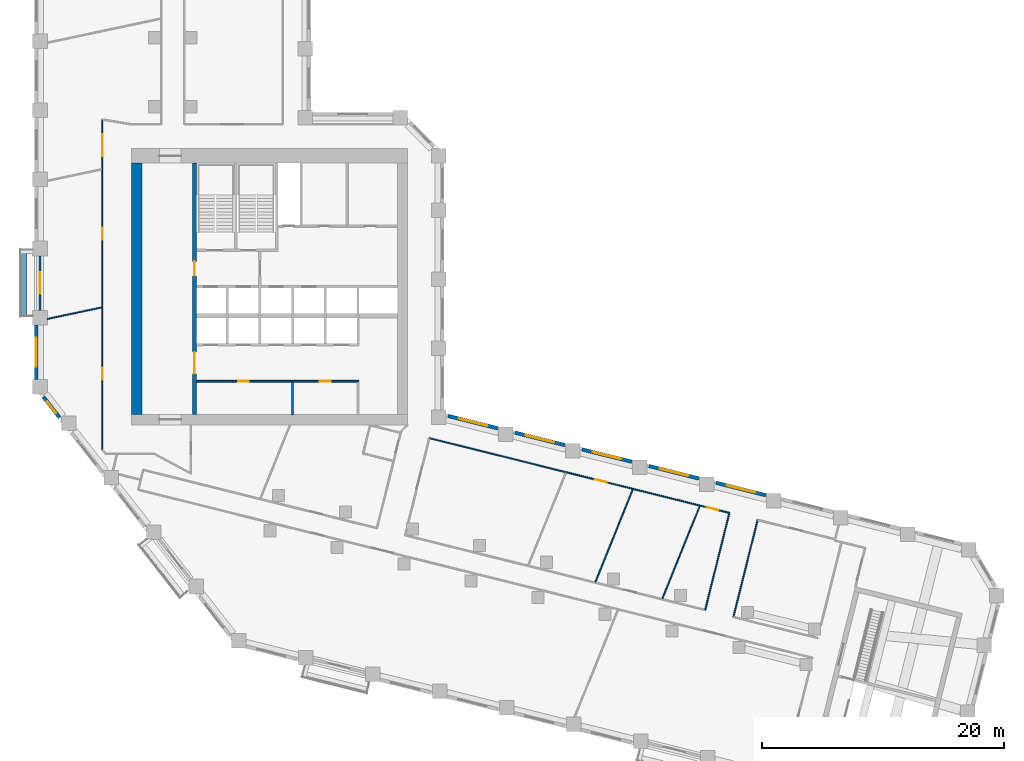
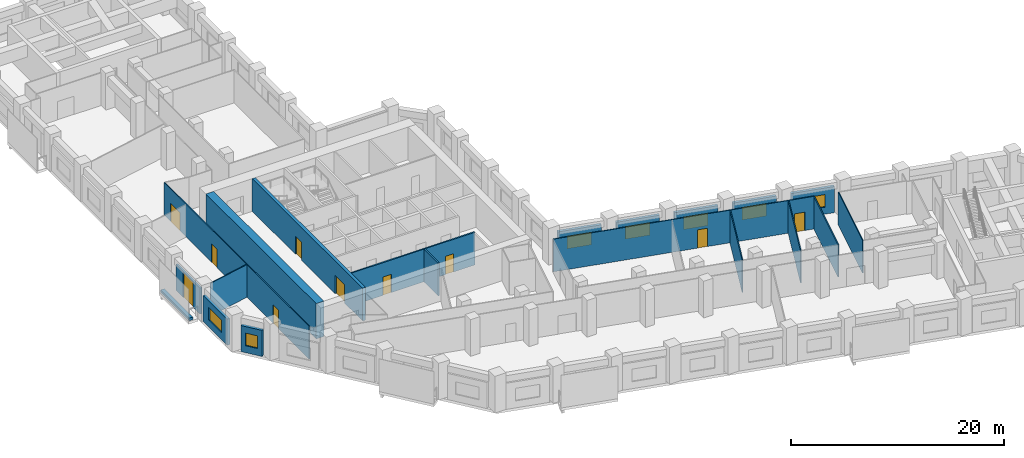
# One storey, part 4 of 10: 20 walls, 10 doors, 7 windows, 17 openings.
"""IFC4 building model written with IfcOpenShell, lengths in metres."""

from ifc_helpers import new_model, si_unit, direction, frame, frame_2d, origin, place, context, subcontext, project, spatial, rectangle, extrude, material, layer, layer_set, type_object, element, fill, save


model = new_model("IFC4")

# Units and contexts
model_context = context("Model", 3, precision=1e-05, world=origin(), true_north=direction((0.0, 1.0)))
body_context = subcontext(model_context, "Body", "Model", "MODEL_VIEW")
ifc_project = project(units=[si_unit("LENGTHUNIT", "METRE"), si_unit("AREAUNIT", "SQUARE_METRE"), si_unit("VOLUMEUNIT", "CUBIC_METRE"), si_unit("PLANEANGLEUNIT", "RADIAN"), si_unit("MASSUNIT", "GRAM", prefix="KILO")], contexts=[model_context])

# Site, building, storey
site_placement = place(None, origin())
site = spatial("IfcSite", under=ifc_project, at=site_placement, CompositionType="ELEMENT")
building_placement = place(site_placement, origin())
building = spatial("IfcBuilding", under=site, at=building_placement, Name="Meshkara Civic Tower", CompositionType="ELEMENT")
storey_placement = place(building_placement, frame((0.0, 0.0, 216.0)))
storey = spatial("IfcBuildingStorey", under=building, at=storey_placement, Name="L49", CompositionType="ELEMENT", Elevation=216.0)

# Wall, openings, doors
ifc_material_1 = material(Name="Blockwork", Category="masonry")
ifc_layer_1 = layer(ifc_material_1, 0.14990234375)
ifc_layer_set_1 = layer_set([ifc_layer_1], Name="Core partition 150")
wall_type_1 = type_object("IfcWallType", Name="Core partition 150", PredefinedType="PARTITIONING", material=ifc_layer_set_1)
wall_1_placement = place(storey_placement, frame((13.3701171875, 17.699951171875, 0.0), z_axis=(0.0, 0.0, 1.0), x_axis=(1.0, 0.0, 0.0)))
wall_1 = element("IfcWall", 1, at=wall_1_placement, inside=storey, type_object=wall_type_1, Name="L49-C005", PredefinedType="PARTITIONING", context=body_context, shape_type="SweptSolid", body=[
    extrude(rectangle(XDim=13.40478515625, YDim=0.14990234375, at=frame_2d((6.702392578125, 0.0))), origin(), (0.0, 0.0, 1.0), 3.75),
])
opening_1_placement = place(wall_1_placement, frame((3.429931640625, 0.0, 0.0)))
opening_1 = element("IfcOpeningElement", 2, at=opening_1_placement, cuts=wall_1, Name="Opening L49-K010", PredefinedType="OPENING", context=body_context, shape_type="SweptSolid", body=[
    extrude(rectangle(XDim=0.89990234375, YDim=2.10009765625, at=frame_2d((0.449951171875, 1.050048828125))), frame((0.0, 0.0849609375, 0.0), z_axis=(0.0, -1.0, 0.0), x_axis=(1.0, 0.0, 0.0)), (0.0, 0.0, 1.0), 0.169921875),
])
opening_2_placement = place(wall_1_placement, frame((10.179931640625, 0.0, 0.0)))
opening_2 = element("IfcOpeningElement", 3, at=opening_2_placement, cuts=wall_1, Name="Opening L49-K011", PredefinedType="OPENING", context=body_context, shape_type="SweptSolid", body=[
    extrude(rectangle(XDim=0.89990234375, YDim=2.10009765625, at=frame_2d((0.449951171875, 1.050048828125))), frame((0.0, 0.0849609375, 0.0), z_axis=(0.0, -1.0, 0.0), x_axis=(1.0, 0.0, 0.0)), (0.0, 0.0, 1.0), 0.169921875),
])
ifc_material_2 = material(Name="Timber door leaf in steel frame", Category="steel")
door_type_1 = type_object("IfcDoorType", Name="Core room door 900", OperationType="SINGLE_SWING_LEFT", PredefinedType="DOOR", material=ifc_material_2)
door_1_placement = place(opening_1_placement, origin())
door_1 = element("IfcDoor", 4, at=door_1_placement, inside=storey, type_object=door_type_1, Name="L49-K010", OperationType="SINGLE_SWING_LEFT", OverallHeight=2.10009765625, OverallWidth=0.89990234375, PredefinedType="DOOR", context=body_context, shape_type="SweptSolid", body=[
    extrude(rectangle(XDim=0.89990234375, YDim=2.10009765625, at=frame_2d((0.449951171875, 1.050048828125))), frame((0.0, 0.02490234375, 0.0), z_axis=(0.0, -1.0, 0.0), x_axis=(1.0, 0.0, 0.0)), (0.0, 0.0, 1.0), 0.050048828125),
])
fill(opening_1, door_1)
door_2_placement = place(opening_2_placement, origin())
door_2 = element("IfcDoor", 5, at=door_2_placement, inside=storey, type_object=door_type_1, Name="L49-K011", OperationType="SINGLE_SWING_LEFT", OverallHeight=2.10009765625, OverallWidth=0.89990234375, PredefinedType="DOOR", context=body_context, shape_type="SweptSolid", body=[
    extrude(rectangle(XDim=0.89990234375, YDim=2.10009765625, at=frame_2d((0.449951171875, 1.050048828125))), frame((0.0, 0.02490234375, 0.0), z_axis=(0.0, -1.0, 0.0), x_axis=(1.0, 0.0, 0.0)), (0.0, 0.0, 1.0), 0.050048828125),
])
fill(opening_2, door_2)

# Walls
wall_2_placement = place(storey_placement, frame((21.300048828125, 14.949951171875, 0.0), z_axis=(0.0, 0.0, 1.0), x_axis=(0.0, 1.0, 0.0)))
element("IfcWall", 6, at=wall_2_placement, inside=storey, type_object=wall_type_1, Name="L49-C016", PredefinedType="PARTITIONING", context=body_context, shape_type="SweptSolid", body=[
    extrude(rectangle(XDim=2.675048828125, YDim=0.14990234375, at=frame_2d((1.33740234375, 0.0))), origin(), (0.0, 0.0, 1.0), 3.75),
])
ifc_material_3 = material(Name="Concrete C70", Category="concrete")
ifc_layer_2 = layer(ifc_material_3, 0.85009765625)
ifc_layer_set_2 = layer_set([ifc_layer_2], Name="Core ring wall 850 C70")
wall_type_2 = type_object("IfcWallType", Name="Core ring wall 850 C70", PredefinedType="SHEAR", material=ifc_layer_set_2)
wall_3_placement = place(storey_placement, frame((8.425048828125, 14.949951171875, -0.300048828125), z_axis=(0.0, 0.0, 1.0), x_axis=(0.0, 1.0, 0.0)))
element("IfcWall", 7, at=wall_3_placement, inside=storey, type_object=wall_type_2, Name="L49-C003", PredefinedType="SHEAR", context=body_context, shape_type="SweptSolid", body=[
    extrude(rectangle(XDim=20.75, YDim=0.85009765625, at=frame_2d((10.375, 0.0))), origin(), (0.0, 0.0, 1.0), 4.050048828125),
])

# Wall, openings, doors
ifc_material_4 = material(Name="Concrete C70", Category="concrete")
ifc_layer_3 = layer(ifc_material_4, 0.340087890625)
ifc_layer_set_3 = layer_set([ifc_layer_3], Name="Core shear wall 340 C70")
wall_type_3 = type_object("IfcWallType", Name="Core shear wall 340 C70", PredefinedType="SHEAR", material=ifc_layer_set_3)
wall_4_placement = place(storey_placement, frame((13.199951171875, 14.949951171875, 0.0), z_axis=(0.0, 0.0, 1.0), x_axis=(0.0, 1.0, 0.0)))
wall_4 = element("IfcWall", 8, at=wall_4_placement, inside=storey, type_object=wall_type_3, Name="L49-C011", PredefinedType="SHEAR", context=body_context, shape_type="SweptSolid", body=[
    extrude(rectangle(XDim=20.75, YDim=0.340087890625, at=frame_2d((10.375, 0.0))), origin(), (0.0, 0.0, 1.0), 3.75),
])
opening_3_placement = place(wall_4_placement, frame((3.35009765625, 0.0, 0.0)))
opening_3 = element("IfcOpeningElement", 9, at=opening_3_placement, cuts=wall_4, Name="Opening L49-K017", PredefinedType="OPENING", context=body_context, shape_type="SweptSolid", body=[
    extrude(rectangle(XDim=1.800048828125, YDim=2.10009765625, at=frame_2d((0.89990234375, 1.050048828125))), frame((0.0, 0.179931640625, 0.0), z_axis=(0.0, -1.0, 0.0), x_axis=(1.0, 0.0, 0.0)), (0.0, 0.0, 1.0), 0.360107421875),
])
opening_4_placement = place(wall_4_placement, frame((11.449951171875, 0.0, 0.0)))
opening_4 = element("IfcOpeningElement", 10, at=opening_4_placement, cuts=wall_4, Name="Opening L49-K018", PredefinedType="OPENING", context=body_context, shape_type="SweptSolid", body=[
    extrude(rectangle(XDim=1.199951171875, YDim=2.10009765625, at=frame_2d((0.60009765625, 1.050048828125))), frame((0.0, 0.179931640625, 0.0), z_axis=(0.0, -1.0, 0.0), x_axis=(1.0, 0.0, 0.0)), (0.0, 0.0, 1.0), 0.360107421875),
])
ifc_material_5 = material(Name="Fire-rated door leaf in steel frame", Category="steel")
door_type_2 = type_object("IfcDoorType", Name="Core double door 1800 EI 60", OperationType="DOUBLE_DOOR_SINGLE_SWING", PredefinedType="DOOR", material=ifc_material_5)
door_3_placement = place(opening_3_placement, origin())
door_3 = element("IfcDoor", 11, at=door_3_placement, inside=storey, type_object=door_type_2, Name="L49-K017", OperationType="DOUBLE_DOOR_SINGLE_SWING", OverallHeight=2.10009765625, OverallWidth=1.800048828125, PredefinedType="DOOR", context=body_context, shape_type="SweptSolid", body=[
    extrude(rectangle(XDim=1.800048828125, YDim=2.10009765625, at=frame_2d((0.89990234375, 1.050048828125))), frame((0.0, 0.02490234375, 0.0), z_axis=(0.0, -1.0, 0.0), x_axis=(1.0, 0.0, 0.0)), (0.0, 0.0, 1.0), 0.050048828125),
])
fill(opening_3, door_3)
ifc_material_6 = material(Name="Fire-rated door leaf in steel frame", Category="steel")
door_type_3 = type_object("IfcDoorType", Name="Fire-fighting lobby door 1200 EI 120", OperationType="SINGLE_SWING_LEFT", PredefinedType="DOOR", material=ifc_material_6)
door_4_placement = place(opening_4_placement, origin())
door_4 = element("IfcDoor", 12, at=door_4_placement, inside=storey, type_object=door_type_3, Name="L49-K018", OperationType="SINGLE_SWING_LEFT", OverallHeight=2.10009765625, OverallWidth=1.199951171875, PredefinedType="DOOR", context=body_context, shape_type="SweptSolid", body=[
    extrude(rectangle(XDim=1.199951171875, YDim=2.10009765625, at=frame_2d((0.60009765625, 1.050048828125))), frame((0.0, 0.02490234375, 0.0), z_axis=(0.0, -1.0, 0.0), x_axis=(1.0, 0.0, 0.0)), (0.0, 0.0, 1.0), 0.050048828125),
])
fill(opening_4, door_4)

ifc_material_7 = material(Name="Corridor wall 100")
ifc_layer_4 = layer(ifc_material_7, 0.10009765625)
ifc_layer_set_4 = layer_set([ifc_layer_4], Name="Corridor wall 100")
wall_type_4 = type_object("IfcWallType", Name="Corridor wall 100", PredefinedType="PARTITIONING", material=ifc_layer_set_4)
wall_5_placement = place(storey_placement, frame((5.60009765625, 12.04296875, 0.0), z_axis=(0.0, 0.0, 1.0), x_axis=(0.0, 1.0, 0.0)))
wall_5 = element("IfcWall", 13, at=wall_5_placement, inside=storey, type_object=wall_type_4, Name="L49-W003", PredefinedType="PARTITIONING", context=body_context, shape_type="SweptSolid", body=[
    extrude(rectangle(XDim=27.257080078125, YDim=0.10009765625, at=frame_2d((13.62841796875, 0.0))), origin(), (0.0, 0.0, 1.0), 3.75),
])
opening_5_placement = place(wall_5_placement, frame((5.780029296875, 0.0, 0.0)))
opening_5 = element("IfcOpeningElement", 14, at=opening_5_placement, cuts=wall_5, Name="Opening L49-D015", PredefinedType="OPENING", context=body_context, shape_type="SweptSolid", body=[
    extrude(rectangle(XDim=1.0, YDim=2.10009765625, at=frame_2d((0.5, 1.050048828125))), frame((0.0, 0.06005859375, 0.0), z_axis=(0.0, -1.0, 0.0), x_axis=(1.0, 0.0, 0.0)), (0.0, 0.0, 1.0), 0.1201171875),
])
opening_6_placement = place(wall_5_placement, frame((17.3291015625, 0.0, 0.0)))
opening_6 = element("IfcOpeningElement", 15, at=opening_6_placement, cuts=wall_5, Name="Opening L49-D016", PredefinedType="OPENING", context=body_context, shape_type="SweptSolid", body=[
    extrude(rectangle(XDim=1.0, YDim=2.10009765625, at=frame_2d((0.5, 1.050048828125))), frame((0.0, 0.06005859375, 0.0), z_axis=(0.0, -1.0, 0.0), x_axis=(1.0, 0.0, 0.0)), (0.0, 0.0, 1.0), 0.1201171875),
])
opening_7_placement = place(wall_5_placement, frame((24.22900390625, 0.0, 0.0)))
opening_7 = element("IfcOpeningElement", 16, at=opening_7_placement, cuts=wall_5, Name="Opening L49-D017", PredefinedType="OPENING", context=body_context, shape_type="SweptSolid", body=[
    extrude(rectangle(XDim=1.800048828125, YDim=2.10009765625, at=frame_2d((0.89990234375, 1.050048828125))), frame((0.0, 0.06005859375, 0.0), z_axis=(0.0, -1.0, 0.0), x_axis=(1.0, 0.0, 0.0)), (0.0, 0.0, 1.0), 0.1201171875),
])
ifc_material_8 = material(Name="Door 1000 x 2100")
door_type_4 = type_object("IfcDoorType", Name="Door 1000 x 2100", OperationType="SINGLE_SWING_LEFT", PredefinedType="DOOR", material=ifc_material_8)
door_5_placement = place(opening_5_placement, origin())
door_5 = element("IfcDoor", 17, at=door_5_placement, inside=storey, type_object=door_type_4, Name="L49-D015", OperationType="SINGLE_SWING_RIGHT", OverallHeight=2.10009765625, OverallWidth=1.0, PredefinedType="DOOR", context=body_context, shape_type="SweptSolid", body=[
    extrude(rectangle(XDim=1.0, YDim=2.10009765625, at=frame_2d((0.5, 1.050048828125))), frame((0.0, 0.02490234375, 0.0), z_axis=(0.0, -1.0, 0.0), x_axis=(1.0, 0.0, 0.0)), (0.0, 0.0, 1.0), 0.050048828125),
])
fill(opening_5, door_5)
door_6_placement = place(opening_6_placement, origin())
door_6 = element("IfcDoor", 18, at=door_6_placement, inside=storey, type_object=door_type_4, Name="L49-D016", OperationType="SINGLE_SWING_RIGHT", OverallHeight=2.10009765625, OverallWidth=1.0, PredefinedType="DOOR", context=body_context, shape_type="SweptSolid", body=[
    extrude(rectangle(XDim=1.0, YDim=2.10009765625, at=frame_2d((0.5, 1.050048828125))), frame((0.0, 0.02490234375, 0.0), z_axis=(0.0, -1.0, 0.0), x_axis=(1.0, 0.0, 0.0)), (0.0, 0.0, 1.0), 0.050048828125),
])
fill(opening_6, door_6)
ifc_material_9 = material(Name="Door pair 1800 x 2100")
door_type_5 = type_object("IfcDoorType", Name="Door pair 1800 x 2100", OperationType="SINGLE_SWING_LEFT", PredefinedType="DOOR", material=ifc_material_9)
door_7_placement = place(opening_7_placement, origin())
door_7 = element("IfcDoor", 19, at=door_7_placement, inside=storey, type_object=door_type_5, Name="L49-D017", OperationType="DOUBLE_DOOR_SINGLE_SWING", OverallHeight=2.10009765625, OverallWidth=1.800048828125, PredefinedType="DOOR", context=body_context, shape_type="SweptSolid", body=[
    extrude(rectangle(XDim=1.800048828125, YDim=2.10009765625, at=frame_2d((0.89990234375, 1.050048828125))), frame((0.0, 0.02490234375, 0.0), z_axis=(0.0, -1.0, 0.0), x_axis=(1.0, 0.0, 0.0)), (0.0, 0.0, 1.0), 0.050048828125),
])
fill(opening_7, door_7)

wall_6_placement = place(storey_placement, frame((32.587890625, 13.001953125, 0.0), z_axis=(0.0, 0.0, 1.0), x_axis=(0.970296463981, -0.241918936808, 0.0)))
wall_6 = element("IfcWall", 20, at=wall_6_placement, inside=storey, type_object=wall_type_4, Name="L49-W032", PredefinedType="PARTITIONING", context=body_context, shape_type="SweptSolid", body=[
    extrude(rectangle(XDim=25.525390625, YDim=0.10009765625, at=frame_2d((12.7626953125, 0.0))), origin(), (0.0, 0.0, 1.0), 3.75),
])
opening_8_placement = place(wall_6_placement, frame((14.097900390625, 0.0, 0.0)))
opening_8 = element("IfcOpeningElement", 21, at=opening_8_placement, cuts=wall_6, Name="Opening L49-D011", PredefinedType="OPENING", context=body_context, shape_type="SweptSolid", body=[
    extrude(rectangle(XDim=1.0, YDim=2.10009765625, at=frame_2d((0.5, 1.050048828125))), frame((0.0, 0.06005859375, 0.0), z_axis=(0.0, -1.0, 0.0), x_axis=(1.0, 0.0, 0.0)), (0.0, 0.0, 1.0), 0.1201171875),
])
opening_9_placement = place(wall_6_placement, frame((23.597900390625, 0.0, 0.0)))
opening_9 = element("IfcOpeningElement", 22, at=opening_9_placement, cuts=wall_6, Name="Opening L49-D012", PredefinedType="OPENING", context=body_context, shape_type="SweptSolid", body=[
    extrude(rectangle(XDim=1.0, YDim=2.10009765625, at=frame_2d((0.5, 1.050048828125))), frame((0.0, 0.06005859375, 0.0), z_axis=(0.0, -1.0, 0.0), x_axis=(1.0, 0.0, 0.0)), (0.0, 0.0, 1.0), 0.1201171875),
])
door_8_placement = place(opening_8_placement, origin())
door_8 = element("IfcDoor", 23, at=door_8_placement, inside=storey, type_object=door_type_4, Name="L49-D011", OperationType="SINGLE_SWING_LEFT", OverallHeight=2.10009765625, OverallWidth=1.0, PredefinedType="DOOR", context=body_context, shape_type="SweptSolid", body=[
    extrude(rectangle(XDim=1.0, YDim=2.10009765625, at=frame_2d((0.5, 1.050048828125))), frame((0.0, 0.02490234375, 0.0), z_axis=(0.0, -1.0, 0.0), x_axis=(1.0, 0.0, 0.0)), (0.0, 0.0, 1.0), 0.050048828125),
])
fill(opening_8, door_8)
door_9_placement = place(opening_9_placement, origin())
door_9 = element("IfcDoor", 24, at=door_9_placement, inside=storey, type_object=door_type_4, Name="L49-D012", OperationType="SINGLE_SWING_RIGHT", OverallHeight=2.10009765625, OverallWidth=1.0, PredefinedType="DOOR", context=body_context, shape_type="SweptSolid", body=[
    extrude(rectangle(XDim=1.0, YDim=2.10009765625, at=frame_2d((0.5, 1.050048828125))), frame((0.0, 0.02490234375, 0.0), z_axis=(0.0, -1.0, 0.0), x_axis=(1.0, 0.0, 0.0)), (0.0, 0.0, 1.0), 0.050048828125),
])
fill(opening_9, door_9)

# Walls
wall_7_placement = place(storey_placement, frame((57.35498046875, 6.826904296875, 0.0), z_axis=(0.0, 0.0, 1.0), x_axis=(-0.241888494143, -0.970304053584, 0.0)))
element("IfcWall", 25, at=wall_7_placement, inside=storey, type_object=wall_type_4, Name="L49-W033", PredefinedType="PARTITIONING", context=body_context, shape_type="SweptSolid", body=[
    extrude(rectangle(XDim=8.256103515625, YDim=0.10009765625, at=frame_2d((4.1279296875, 0.0))), origin(), (0.0, 0.0, 1.0), 3.75),
])
wall_8_placement = place(storey_placement, frame((57.68701171875, -1.763916015625, 0.0), z_axis=(0.0, 0.0, 1.0), x_axis=(0.24191625886, 0.970297131656, 0.0)))
element("IfcWall", 26, at=wall_8_placement, inside=storey, type_object=wall_type_4, Name="L49-W034", PredefinedType="PARTITIONING", context=body_context, shape_type="SweptSolid", body=[
    extrude(rectangle(XDim=8.255126953125, YDim=0.10009765625, at=frame_2d((4.12744140625, 0.0))), origin(), (0.0, 0.0, 1.0), 3.75),
])

# Wall, opening, window
ifc_material_10 = material(Name="Insulated infill panel with bronze anodised aluminium cladding", Category="aluminium")
ifc_layer_5 = layer(ifc_material_10, 0.300048828125)
ifc_layer_set_5 = layer_set([ifc_layer_5], Name="EXTERNAL INFILL WALL 300")
wall_type_5 = type_object("IfcWallType", Name="EXTERNAL INFILL WALL 300", PredefinedType="SOLIDWALL", material=ifc_layer_set_5)
wall_9_placement = place(storey_placement, frame((60.3701171875, 8.291015625, 0.0), z_axis=(0.0, 0.0, 1.0), x_axis=(-0.970291164166, 0.241940192487, 0.0)))
wall_9 = element("IfcWall", 27, at=wall_9_placement, inside=storey, type_object=wall_type_5, Name="External wall", PredefinedType="SOLIDWALL", context=body_context, shape_type="SweptSolid", body=[
    extrude(rectangle(XDim=4.245361328125, YDim=0.300048828125, at=frame_2d((2.12255859375, 0.0))), origin(), (0.0, 0.0, 1.0), 3.0),
])
opening_10_placement = place(wall_9_placement, frame((0.922119140625, 0.0, 0.800048828125)))
opening_10 = element("IfcOpeningElement", 28, at=opening_10_placement, cuts=wall_9, Name="Opening W8", PredefinedType="OPENING", context=body_context, shape_type="SweptSolid", body=[
    extrude(rectangle(XDim=2.39990234375, YDim=1.449951171875, at=frame_2d((1.199951171875, 0.72509765625))), frame((0.0, 0.159912109375, 0.0), z_axis=(0.0, -1.0, 0.0), x_axis=(1.0, 0.0, 0.0)), (0.0, 0.0, 1.0), 0.320068359375),
])
ifc_material_11 = material(Name="Tinted double glazing", Category="glass")
window_type_1 = type_object("IfcWindowType", Name="WINDOW 2400x1450", PartitioningType="DOUBLE_PANEL_VERTICAL", PredefinedType="WINDOW", material=ifc_material_11)
window_1_placement = place(opening_10_placement, origin())
window_1 = element("IfcWindow", 29, at=window_1_placement, inside=storey, type_object=window_type_1, Name="Window", OverallHeight=1.449951171875, OverallWidth=2.39990234375, PartitioningType="DOUBLE_PANEL_VERTICAL", PredefinedType="WINDOW", context=body_context, shape_type="SweptSolid", body=[
    extrude(rectangle(XDim=2.39990234375, YDim=1.449951171875, at=frame_2d((1.199951171875, 0.72509765625))), frame((0.0, 0.030029296875, 0.0), z_axis=(0.0, -1.0, 0.0), x_axis=(1.0, 0.0, 0.0)), (0.0, 0.0, 1.0), 0.06005859375),
])
fill(opening_10, window_1)

wall_10_placement = place(storey_placement, frame((54.840087890625, 9.669921875, 0.0), z_axis=(0.0, 0.0, 1.0), x_axis=(-0.97030462482, 0.241886202691, 0.0)))
wall_10 = element("IfcWall", 30, at=wall_10_placement, inside=storey, type_object=wall_type_5, Name="External wall", PredefinedType="SOLIDWALL", context=body_context, shape_type="SweptSolid", body=[
    extrude(rectangle(XDim=4.24609375, YDim=0.300048828125, at=frame_2d((2.123046875, 0.0))), origin(), (0.0, 0.0, 1.0), 3.0),
])
opening_11_placement = place(wall_10_placement, frame((0.923095703125, 0.0, 0.800048828125)))
opening_11 = element("IfcOpeningElement", 31, at=opening_11_placement, cuts=wall_10, Name="Opening W8", PredefinedType="OPENING", context=body_context, shape_type="SweptSolid", body=[
    extrude(rectangle(XDim=2.39990234375, YDim=1.449951171875, at=frame_2d((1.199951171875, 0.72509765625))), frame((0.0, 0.159912109375, 0.0), z_axis=(0.0, -1.0, 0.0), x_axis=(1.0, 0.0, 0.0)), (0.0, 0.0, 1.0), 0.320068359375),
])
window_2_placement = place(opening_11_placement, origin())
window_2 = element("IfcWindow", 32, at=window_2_placement, inside=storey, type_object=window_type_1, Name="Window", OverallHeight=1.449951171875, OverallWidth=2.39990234375, PartitioningType="DOUBLE_PANEL_VERTICAL", PredefinedType="WINDOW", context=body_context, shape_type="SweptSolid", body=[
    extrude(rectangle(XDim=2.39990234375, YDim=1.449951171875, at=frame_2d((1.199951171875, 0.72509765625))), frame((0.0, 0.030029296875, 0.0), z_axis=(0.0, -1.0, 0.0), x_axis=(1.0, 0.0, 0.0)), (0.0, 0.0, 1.0), 0.06005859375),
])
fill(opening_11, window_2)

wall_11_placement = place(storey_placement, frame((49.30908203125, 11.049072265625, 0.0), z_axis=(0.0, 0.0, 1.0), x_axis=(-0.970264129329, 0.242048588793, 0.0)))
wall_11 = element("IfcWall", 33, at=wall_11_placement, inside=storey, type_object=wall_type_5, Name="External wall", PredefinedType="SOLIDWALL", context=body_context, shape_type="SweptSolid", body=[
    extrude(rectangle(XDim=4.246337890625, YDim=0.300048828125, at=frame_2d((2.123046875, 0.0))), origin(), (0.0, 0.0, 1.0), 3.0),
])
opening_12_placement = place(wall_11_placement, frame((0.923095703125, 0.0, 0.800048828125)))
opening_12 = element("IfcOpeningElement", 34, at=opening_12_placement, cuts=wall_11, Name="Opening W8", PredefinedType="OPENING", context=body_context, shape_type="SweptSolid", body=[
    extrude(rectangle(XDim=2.39990234375, YDim=1.449951171875, at=frame_2d((1.199951171875, 0.72509765625))), frame((0.0, 0.159912109375, 0.0), z_axis=(0.0, -1.0, 0.0), x_axis=(1.0, 0.0, 0.0)), (0.0, 0.0, 1.0), 0.320068359375),
])
window_3_placement = place(opening_12_placement, origin())
window_3 = element("IfcWindow", 35, at=window_3_placement, inside=storey, type_object=window_type_1, Name="Window", OverallHeight=1.449951171875, OverallWidth=2.39990234375, PartitioningType="DOUBLE_PANEL_VERTICAL", PredefinedType="WINDOW", context=body_context, shape_type="SweptSolid", body=[
    extrude(rectangle(XDim=2.39990234375, YDim=1.449951171875, at=frame_2d((1.199951171875, 0.72509765625))), frame((0.0, 0.030029296875, 0.0), z_axis=(0.0, -1.0, 0.0), x_axis=(1.0, 0.0, 0.0)), (0.0, 0.0, 1.0), 0.06005859375),
])
fill(opening_12, window_3)

wall_12_placement = place(storey_placement, frame((43.778076171875, 12.427978515625, 0.0), z_axis=(0.0, 0.0, 1.0), x_axis=(-0.970291164166, 0.241940192487, 0.0)))
wall_12 = element("IfcWall", 36, at=wall_12_placement, inside=storey, type_object=wall_type_5, Name="External wall", PredefinedType="SOLIDWALL", context=body_context, shape_type="SweptSolid", body=[
    extrude(rectangle(XDim=4.245361328125, YDim=0.300048828125, at=frame_2d((2.12255859375, 0.0))), origin(), (0.0, 0.0, 1.0), 3.0),
])
opening_13_placement = place(wall_12_placement, frame((0.922119140625, 0.0, 0.800048828125)))
opening_13 = element("IfcOpeningElement", 37, at=opening_13_placement, cuts=wall_12, Name="Opening W8", PredefinedType="OPENING", context=body_context, shape_type="SweptSolid", body=[
    extrude(rectangle(XDim=2.39990234375, YDim=1.449951171875, at=frame_2d((1.199951171875, 0.72509765625))), frame((0.0, 0.159912109375, 0.0), z_axis=(0.0, -1.0, 0.0), x_axis=(1.0, 0.0, 0.0)), (0.0, 0.0, 1.0), 0.320068359375),
])
window_4_placement = place(opening_13_placement, origin())
window_4 = element("IfcWindow", 38, at=window_4_placement, inside=storey, type_object=window_type_1, Name="Window", OverallHeight=1.449951171875, OverallWidth=2.39990234375, PartitioningType="DOUBLE_PANEL_VERTICAL", PredefinedType="WINDOW", context=body_context, shape_type="SweptSolid", body=[
    extrude(rectangle(XDim=2.39990234375, YDim=1.449951171875, at=frame_2d((1.199951171875, 0.72509765625))), frame((0.0, 0.030029296875, 0.0), z_axis=(0.0, -1.0, 0.0), x_axis=(1.0, 0.0, 0.0)), (0.0, 0.0, 1.0), 0.06005859375),
])
fill(opening_13, window_4)

wall_13_placement = place(storey_placement, frame((38.248046875, 13.806884765625, 0.0), z_axis=(0.0, 0.0, 1.0), x_axis=(-0.970250625545, 0.242102712975, 0.0)))
wall_13 = element("IfcWall", 39, at=wall_13_placement, inside=storey, type_object=wall_type_5, Name="External wall", PredefinedType="SOLIDWALL", context=body_context, shape_type="SweptSolid", body=[
    extrude(rectangle(XDim=4.246337890625, YDim=0.300048828125, at=frame_2d((2.123046875, 0.0))), origin(), (0.0, 0.0, 1.0), 3.0),
])
opening_14_placement = place(wall_13_placement, frame((0.923095703125, 0.0, 0.800048828125)))
opening_14 = element("IfcOpeningElement", 40, at=opening_14_placement, cuts=wall_13, Name="Opening W8", PredefinedType="OPENING", context=body_context, shape_type="SweptSolid", body=[
    extrude(rectangle(XDim=2.39990234375, YDim=1.449951171875, at=frame_2d((1.199951171875, 0.72509765625))), frame((0.0, 0.159912109375, 0.0), z_axis=(0.0, -1.0, 0.0), x_axis=(1.0, 0.0, 0.0)), (0.0, 0.0, 1.0), 0.320068359375),
])
window_5_placement = place(opening_14_placement, origin())
window_5 = element("IfcWindow", 41, at=window_5_placement, inside=storey, type_object=window_type_1, Name="Window", OverallHeight=1.449951171875, OverallWidth=2.39990234375, PartitioningType="DOUBLE_PANEL_VERTICAL", PredefinedType="WINDOW", context=body_context, shape_type="SweptSolid", body=[
    extrude(rectangle(XDim=2.39990234375, YDim=1.449951171875, at=frame_2d((1.199951171875, 0.72509765625))), frame((0.0, 0.030029296875, 0.0), z_axis=(0.0, -1.0, 0.0), x_axis=(1.0, 0.0, 0.0)), (0.0, 0.0, 1.0), 0.06005859375),
])
fill(opening_14, window_5)

wall_14_placement = place(storey_placement, frame((0.14990234375, 22.35498046875, 0.0), z_axis=(0.0, 0.0, 1.0), x_axis=(0.0, -1.0, 0.0)))
wall_14 = element("IfcWall", 42, at=wall_14_placement, inside=storey, type_object=wall_type_5, Name="External wall", PredefinedType="SOLIDWALL", context=body_context, shape_type="SweptSolid", body=[
    extrude(rectangle(XDim=4.5, YDim=0.300048828125, at=frame_2d((2.25, 0.0))), origin(), (0.0, 0.0, 1.0), 3.0),
])
opening_15_placement = place(wall_14_placement, frame((1.050048828125, 0.0, 0.800048828125)))
opening_15 = element("IfcOpeningElement", 43, at=opening_15_placement, cuts=wall_14, Name="Opening W8", PredefinedType="OPENING", context=body_context, shape_type="SweptSolid", body=[
    extrude(rectangle(XDim=2.39990234375, YDim=1.449951171875, at=frame_2d((1.199951171875, 0.72509765625))), frame((0.0, 0.159912109375, 0.0), z_axis=(0.0, -1.0, 0.0), x_axis=(1.0, 0.0, 0.0)), (0.0, 0.0, 1.0), 0.320068359375),
])
window_6_placement = place(opening_15_placement, origin())
window_6 = element("IfcWindow", 44, at=window_6_placement, inside=storey, type_object=window_type_1, Name="Window", OverallHeight=1.449951171875, OverallWidth=2.39990234375, PartitioningType="DOUBLE_PANEL_VERTICAL", PredefinedType="WINDOW", context=body_context, shape_type="SweptSolid", body=[
    extrude(rectangle(XDim=2.39990234375, YDim=1.449951171875, at=frame_2d((1.199951171875, 0.72509765625))), frame((0.0, 0.030029296875, 0.0), z_axis=(0.0, -1.0, 0.0), x_axis=(1.0, 0.0, 0.0)), (0.0, 0.0, 1.0), 0.06005859375),
])
fill(opening_15, window_6)

wall_15_placement = place(storey_placement, frame((0.73193359375, 16.406982421875, 0.0), z_axis=(0.0, 0.0, 1.0), x_axis=(0.615593496459, -0.788063859797, 0.0)))
wall_15 = element("IfcWall", 45, at=wall_15_placement, inside=storey, type_object=wall_type_5, Name="External wall", PredefinedType="SOLIDWALL", context=body_context, shape_type="SweptSolid", body=[
    extrude(rectangle(XDim=2.156005859375, YDim=0.300048828125, at=frame_2d((1.078125, 0.0))), origin(), (0.0, 0.0, 1.0), 3.0),
])
opening_16_placement = place(wall_15_placement, frame((0.47802734375, 0.0, 0.800048828125)))
opening_16 = element("IfcOpeningElement", 46, at=opening_16_placement, cuts=wall_15, Name="Opening W4", PredefinedType="OPENING", context=body_context, shape_type="SweptSolid", body=[
    extrude(rectangle(XDim=1.199951171875, YDim=1.449951171875, at=frame_2d((0.60009765625, 0.72509765625))), frame((0.0, 0.159912109375, 0.0), z_axis=(0.0, -1.0, 0.0), x_axis=(1.0, 0.0, 0.0)), (0.0, 0.0, 1.0), 0.320068359375),
])
ifc_material_12 = material(Name="Tinted double glazing", Category="glass")
window_type_2 = type_object("IfcWindowType", Name="WINDOW 1200x1450", PartitioningType="SINGLE_PANEL", PredefinedType="WINDOW", material=ifc_material_12)
window_7_placement = place(opening_16_placement, origin())
window_7 = element("IfcWindow", 47, at=window_7_placement, inside=storey, type_object=window_type_2, Name="Window", OverallHeight=1.449951171875, OverallWidth=1.199951171875, PartitioningType="SINGLE_PANEL", PredefinedType="WINDOW", context=body_context, shape_type="SweptSolid", body=[
    extrude(rectangle(XDim=1.199951171875, YDim=1.449951171875, at=frame_2d((0.60009765625, 0.72509765625))), frame((0.0, 0.030029296875, 0.0), z_axis=(0.0, -1.0, 0.0), x_axis=(1.0, 0.0, 0.0)), (0.0, 0.0, 1.0), 0.06005859375),
])
fill(opening_16, window_7)

# Wall, opening, door
ifc_material_13 = material(Name="Insulated infill panel with bronze anodised aluminium cladding", Category="aluminium")
ifc_layer_6 = layer(ifc_material_13, 0.199951171875)
ifc_layer_set_6 = layer_set([ifc_layer_6], Name="LOGGIA BACK WALL 200")
wall_type_6 = type_object("IfcWallType", Name="LOGGIA BACK WALL 200", PredefinedType="SOLIDWALL", material=ifc_layer_set_6)
wall_16_placement = place(storey_placement, frame((0.449951171875, 28.053955078125, 0.0), z_axis=(0.0, 0.0, 1.0), x_axis=(0.0, -1.0, 0.0)))
wall_16 = element("IfcWall", 48, at=wall_16_placement, inside=storey, type_object=wall_type_6, Name="Loggia wall", PredefinedType="SOLIDWALL", context=body_context, shape_type="SweptSolid", body=[
    extrude(rectangle(XDim=4.498046875, YDim=0.199951171875, at=frame_2d((2.2490234375, 0.0))), origin(), (0.0, 0.0, 1.0), 3.0),
])
opening_17_placement = place(wall_16_placement, frame((1.34912109375, 0.0, 0.0)))
opening_17 = element("IfcOpeningElement", 49, at=opening_17_placement, cuts=wall_16, Name="Opening L49-L002", PredefinedType="OPENING", context=body_context, shape_type="SweptSolid", body=[
    extrude(rectangle(XDim=1.800048828125, YDim=2.89990234375, at=frame_2d((0.89990234375, 1.449951171875))), frame((0.0, 0.10986328125, 0.0), z_axis=(0.0, -1.0, 0.0), x_axis=(1.0, 0.0, 0.0)), (0.0, 0.0, 1.0), 0.219970703125),
])
ifc_material_14 = material(Name="Tinted double glazing", Category="glass")
door_type_6 = type_object("IfcDoorType", Name="LOGGIA DOOR 1800x2900", OperationType="DOUBLE_DOOR_SINGLE_SWING", PredefinedType="DOOR", material=ifc_material_14)
door_10_placement = place(opening_17_placement, origin())
door_10 = element("IfcDoor", 50, at=door_10_placement, inside=storey, type_object=door_type_6, Name="L49-L002", OperationType="DOUBLE_DOOR_SINGLE_SWING", OverallHeight=2.89990234375, OverallWidth=1.800048828125, PredefinedType="DOOR", context=body_context, shape_type="SweptSolid", body=[
    extrude(rectangle(XDim=1.800048828125, YDim=2.89990234375, at=frame_2d((0.89990234375, 1.449951171875))), frame((0.0, 0.02490234375, 0.0), z_axis=(0.0, -1.0, 0.0), x_axis=(1.0, 0.0, 0.0)), (0.0, 0.0, 1.0), 0.050048828125),
])
fill(opening_17, door_10)

# Walls
ifc_material_15 = material(Name="Concrete C40", Category="concrete")
ifc_layer_7 = layer(ifc_material_15, 0.39990234375)
ifc_layer_set_7 = layer_set([ifc_layer_7], Name="PLANTER TRAY")
wall_type_7 = type_object("IfcWallType", Name="PLANTER TRAY", PredefinedType="SOLIDWALL", material=ifc_layer_set_7)
wall_17_placement = place(storey_placement, frame((-0.8798828125, 28.485107421875, 0.0), z_axis=(0.0, 0.0, 1.0), x_axis=(0.0, -1.0, 0.0)))
element("IfcWall", 51, at=wall_17_placement, inside=storey, type_object=wall_type_7, Name="Planter", PredefinedType="SOLIDWALL", context=body_context, shape_type="SweptSolid", body=[
    extrude(rectangle(XDim=5.360107421875, YDim=0.39990234375, at=frame_2d((2.68017578125, 0.0))), origin(), (0.0, 0.0, 1.0), 0.300048828125),
])
ifc_material_16 = material(Name="Partition 100")
ifc_layer_8 = layer(ifc_material_16, 0.10009765625)
ifc_layer_set_8 = layer_set([ifc_layer_8], Name="Partition 100")
wall_type_8 = type_object("IfcWallType", Name="Partition 100", PredefinedType="PARTITIONING", material=ifc_layer_set_8)
wall_18_placement = place(storey_placement, frame((5.5400390625, 23.7919921875, 0.0), z_axis=(0.0, 0.0, 1.0), x_axis=(-0.978116523161, -0.20805784561, 0.0)))
element("IfcWall", 52, at=wall_18_placement, inside=storey, type_object=wall_type_8, Name="L49-W046", PredefinedType="PARTITIONING", context=body_context, shape_type="SweptSolid", body=[
    extrude(rectangle(XDim=4.59033203125, YDim=0.10009765625, at=frame_2d((2.295166015625, 0.0))), origin(), (0.0, 0.0, 1.0), 3.75),
])
for number, where, z_axis, x_axis, name in (
    (53, (46.298095703125, 1.134033203125, 0.0), (0.0, 0.0, 1.0), (0.37449643731, 0.927228352911, 0.0), "L49-W058"),
    (54, (51.8291015625, -0.2451171875, 0.0), (0.0, 0.0, 1.0), (0.37449643731, 0.927228352911, 0.0), "L49-W059"),
):
    element("IfcWall", number, at=place(storey_placement, frame(where, z_axis=z_axis, x_axis=x_axis)), inside=storey, type_object=wall_type_8, Name=name, PredefinedType="PARTITIONING", context=body_context, shape_type="SweptSolid", body=[
        extrude(rectangle(XDim=8.221435546875, YDim=0.10009765625, at=frame_2d((4.11083984375, 0.0))), origin(), (0.0, 0.0, 1.0), 3.75),
    ])

save(model, "model.ifc")
